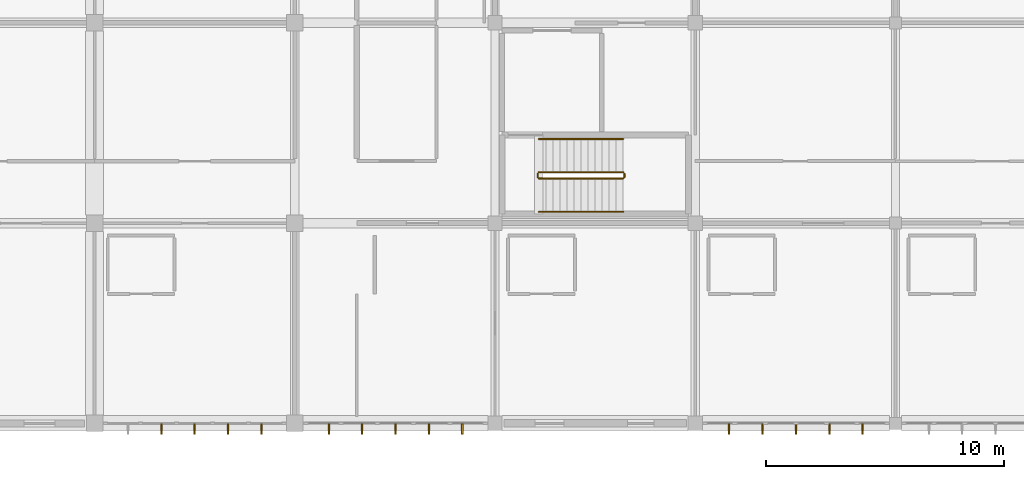
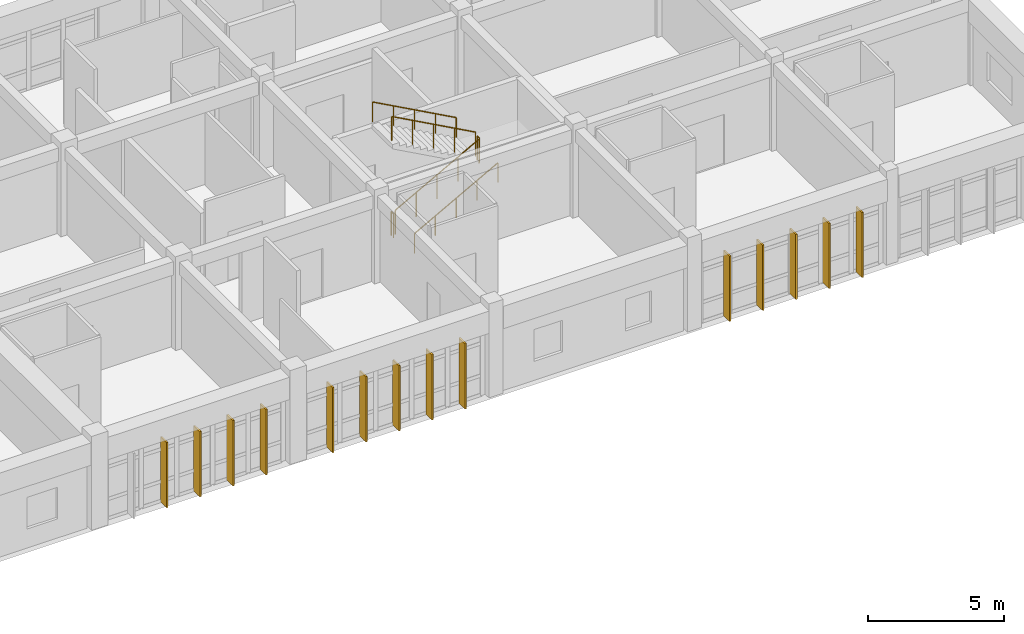
# One storey, part 115 of 119: 14 shading devices, 6 railings.
"""IFC4 building model written with IfcOpenShell, lengths in metres."""

from ifc_helpers import new_model, si_unit, direction, frame, origin, origin_2d, place, context, subcontext, project, spatial, rectangle, circle, extrude, material, material_profile, profile_set, type_object, element, save


model = new_model("IFC4")

# Units and contexts
model_context = context("Model", 3, precision=1e-05, world=origin(), true_north=direction((0.0, 1.0)))
body_context = subcontext(model_context, "Body", "Model", "MODEL_VIEW")
ifc_project = project(units=[si_unit("LENGTHUNIT", "METRE"), si_unit("AREAUNIT", "SQUARE_METRE"), si_unit("VOLUMEUNIT", "CUBIC_METRE"), si_unit("PLANEANGLEUNIT", "RADIAN"), si_unit("MASSUNIT", "GRAM", prefix="KILO")], contexts=[model_context])

# Site, building, storey
site_placement = place(None, origin())
site = spatial("IfcSite", under=ifc_project, at=site_placement, CompositionType="ELEMENT")
building_placement = place(site_placement, origin())
building = spatial("IfcBuilding", under=site, at=building_placement, Name="Bramfleet General Hospital", CompositionType="ELEMENT")
storey_placement = place(building_placement, frame((0.0, 0.0, 14.39990234375)))
storey = spatial("IfcBuildingStorey", under=building, at=storey_placement, Name="L03", CompositionType="ELEMENT", Elevation=14.39990234375)

# Railings
ifc_material_1 = material(Name="Powder-coated steel stair balustrade", Category="steel")
railing_type_1 = type_object("IfcRailingType", Name="RAIL-ST-GUARD", PredefinedType="GUARDRAIL", material=ifc_material_1)
railing_1_placement = place(storey_placement, frame((144.639892578125, 10.27001953125, 0.16162109375)))
element("IfcRailing", 1, at=railing_1_placement, inside=storey, type_object=railing_type_1, Name="L03 ST-C10 stair guard 1", PredefinedType="GUARDRAIL", context=body_context, shape_type="SweptSolid", body=[
    extrude(circle(Radius=0.02392578125, at=origin_2d()), frame((0.0, 0.0, 1.076171875), z_axis=(0.877108402541, 0.0, 0.480292463185), x_axis=(0.0, 1.0, 0.0)), (0.0, 0.0, 1.0), 4.0361328125),
    extrude(circle(Radius=0.02099609375, at=origin_2d()), origin(), (0.0, 0.0, 1.0), 1.052001953125),
    extrude(circle(Radius=0.02099609375, at=origin_2d()), frame((0.885009765625, 0.0, 0.484619140625)), (0.0, 0.0, 1.0), 1.052001953125),
    extrude(circle(Radius=0.02099609375, at=origin_2d()), frame((1.77001953125, 0.0, 0.96923828125)), (0.0, 0.0, 1.0), 1.052001953125),
    extrude(circle(Radius=0.02099609375, at=origin_2d()), frame((2.655029296875, 0.0, 1.453857421875)), (0.0, 0.0, 1.0), 1.052001953125),
    extrude(circle(Radius=0.02099609375, at=origin_2d()), frame((3.5400390625, 0.0, 1.9384765625)), (0.0, 0.0, 1.0), 1.052001953125),
])
railing_2_placement = place(storey_placement, frame((148.22998046875, 10.320068359375, 2.10009765625)))
element("IfcRailing", 2, at=railing_2_placement, inside=storey, type_object=railing_type_1, Name="L03 ST-C10 stair guard 2", PredefinedType="GUARDRAIL", context=body_context, shape_type="SweptSolid", body=[
    extrude(circle(Radius=0.02392578125, at=origin_2d()), frame((0.0, 0.0, 1.076171875), z_axis=(0.0, 1.0, 0.0), x_axis=(-1.0, 0.0, 0.0)), (0.0, 0.0, 1.0), 0.159912109375),
    extrude(circle(Radius=0.02099609375, at=origin_2d()), origin(), (0.0, 0.0, 1.0), 1.052001953125),
    extrude(circle(Radius=0.02099609375, at=origin_2d()), frame((0.0, 0.159912109375, 0.0)), (0.0, 0.0, 1.0), 1.052001953125),
])
railing_3_placement = place(storey_placement, frame((148.179931640625, 10.530029296875, 2.26171875)))
element("IfcRailing", 3, at=railing_3_placement, inside=storey, type_object=railing_type_1, Name="L03 ST-C10 stair guard 3", PredefinedType="GUARDRAIL", context=body_context, shape_type="SweptSolid", body=[
    extrude(circle(Radius=0.02392578125, at=origin_2d()), frame((0.0, 0.0, 1.076171875), z_axis=(-0.877108402541, 0.0, 0.480292463185), x_axis=(0.0, -1.0, 0.0)), (0.0, 0.0, 1.0), 4.0361328125),
    extrude(circle(Radius=0.02099609375, at=origin_2d()), origin(), (0.0, 0.0, 1.0), 1.052001953125),
    extrude(circle(Radius=0.02099609375, at=origin_2d()), frame((-0.885009765625, 0.0, 0.484619140625)), (0.0, 0.0, 1.0), 1.052001953125),
    extrude(circle(Radius=0.02099609375, at=origin_2d()), frame((-1.77001953125, 0.0, 0.96923828125)), (0.0, 0.0, 1.0), 1.052001953125),
    extrude(circle(Radius=0.02099609375, at=origin_2d()), frame((-2.655029296875, 0.0, 1.453857421875)), (0.0, 0.0, 1.0), 1.052001953125),
    extrude(circle(Radius=0.02099609375, at=origin_2d()), frame((-3.5400390625, 0.0, 1.9384765625)), (0.0, 0.0, 1.0), 1.052001953125),
])
railing_4_placement = place(storey_placement, frame((144.590087890625, 10.320068359375, 0.0)))
element("IfcRailing", 4, at=railing_4_placement, inside=storey, type_object=railing_type_1, Name="L03 ST-C10 stair guard 4", PredefinedType="GUARDRAIL", context=body_context, shape_type="SweptSolid", body=[
    extrude(circle(Radius=0.02392578125, at=origin_2d()), frame((0.0, 0.0, 1.076171875), z_axis=(0.0, 1.0, 0.0), x_axis=(-1.0, 0.0, 0.0)), (0.0, 0.0, 1.0), 0.159912109375),
    extrude(circle(Radius=0.02099609375, at=origin_2d()), origin(), (0.0, 0.0, 1.0), 1.052001953125),
    extrude(circle(Radius=0.02099609375, at=origin_2d()), frame((0.0, 0.159912109375, 0.0)), (0.0, 0.0, 1.0), 1.052001953125),
])
ifc_material_2 = material(Name="Stainless steel 1.4301 stair handrail", Category="steel")
railing_type_2 = type_object("IfcRailingType", Name="RAIL-ST-HND", PredefinedType="HANDRAIL", material=ifc_material_2)
railing_5_placement = place(storey_placement, frame((144.639892578125, 8.8701171875, 0.16162109375)))
element("IfcRailing", 5, at=railing_5_placement, inside=storey, type_object=railing_type_2, Name="L03 ST-C10 stair handrail 1", PredefinedType="HANDRAIL", context=body_context, shape_type="SweptSolid", body=[
    extrude(circle(Radius=0.02392578125, at=origin_2d()), frame((0.0, 0.0, 0.8759765625), z_axis=(0.877108402541, 0.0, 0.480292463185), x_axis=(0.0, 1.0, 0.0)), (0.0, 0.0, 1.0), 4.0361328125),
    extrude(circle(Radius=0.02099609375, at=origin_2d()), origin(), (0.0, 0.0, 1.0), 0.851806640625),
    extrude(circle(Radius=0.02099609375, at=origin_2d()), frame((0.885009765625, 0.0, 0.484619140625)), (0.0, 0.0, 1.0), 0.851806640625),
    extrude(circle(Radius=0.02099609375, at=origin_2d()), frame((1.77001953125, 0.0, 0.96923828125)), (0.0, 0.0, 1.0), 0.851806640625),
    extrude(circle(Radius=0.02099609375, at=origin_2d()), frame((2.655029296875, 0.0, 1.453857421875)), (0.0, 0.0, 1.0), 0.851806640625),
    extrude(circle(Radius=0.02099609375, at=origin_2d()), frame((3.5400390625, 0.0, 1.9384765625)), (0.0, 0.0, 1.0), 0.851806640625),
])
railing_6_placement = place(storey_placement, frame((148.179931640625, 11.929931640625, 2.26171875)))
element("IfcRailing", 6, at=railing_6_placement, inside=storey, type_object=railing_type_2, Name="L03 ST-C10 stair handrail 2", PredefinedType="HANDRAIL", context=body_context, shape_type="SweptSolid", body=[
    extrude(circle(Radius=0.02392578125, at=origin_2d()), frame((0.0, 0.0, 0.8759765625), z_axis=(-0.877108402541, 0.0, 0.480292463185), x_axis=(0.0, -1.0, 0.0)), (0.0, 0.0, 1.0), 4.0361328125),
    extrude(circle(Radius=0.02099609375, at=origin_2d()), origin(), (0.0, 0.0, 1.0), 0.851806640625),
    extrude(circle(Radius=0.02099609375, at=origin_2d()), frame((-0.885009765625, 0.0, 0.484619140625)), (0.0, 0.0, 1.0), 0.851806640625),
    extrude(circle(Radius=0.02099609375, at=origin_2d()), frame((-1.77001953125, 0.0, 0.96923828125)), (0.0, 0.0, 1.0), 0.851806640625),
    extrude(circle(Radius=0.02099609375, at=origin_2d()), frame((-2.655029296875, 0.0, 1.453857421875)), (0.0, 0.0, 1.0), 0.851806640625),
    extrude(circle(Radius=0.02099609375, at=origin_2d()), frame((-3.5400390625, 0.0, 1.9384765625)), (0.0, 0.0, 1.0), 0.851806640625),
])

# Shading devices
ifc_material_3 = material(Name="Treated European larch timber", Category="wood")
ifc_material_profile = material_profile(ifc_material_3, rectangle(XDim=0.06494140625, YDim=0.449951171875, at=origin_2d()), Name="LARCH FIN 450x65")
ifc_profile_set = profile_set([ifc_material_profile], Name="Treated European larch timber")
shading_device_type = type_object("IfcShadingDeviceType", Name="SHD-FIN-450", PredefinedType="USERDEFINED", material=ifc_profile_set)
for number, where, z_axis, x_axis, name in (
    (7, (158.22509765625, -0.239990234375, -0.02001953125), (0.0, 0.0, 1.0), (-1.0, 0.0, 0.0), "L03 Larch Timber Shading Fin 632"),
    (8, (156.824951171875, -0.239990234375, -0.02001953125), (0.0, 0.0, 1.0), (-1.0, 0.0, 0.0), "L03 Larch Timber Shading Fin 633"),
    (9, (155.425048828125, -0.239990234375, -0.02001953125), (0.0, 0.0, 1.0), (-1.0, 0.0, 0.0), "L03 Larch Timber Shading Fin 634"),
    (10, (154.02490234375, -0.239990234375, -0.02001953125), (0.0, 0.0, 1.0), (-1.0, 0.0, 0.0), "L03 Larch Timber Shading Fin 635"),
    (11, (152.625, -0.239990234375, -0.02001953125), (0.0, 0.0, 1.0), (-1.0, 0.0, 0.0), "L03 Larch Timber Shading Fin 636"),
    (12, (141.425048828125, -0.239990234375, -0.02001953125), (0.0, 0.0, 1.0), (-1.0, 0.0, 0.0), "L03 Larch Timber Shading Fin 637"),
    (13, (140.02490234375, -0.239990234375, -0.02001953125), (0.0, 0.0, 1.0), (-1.0, 0.0, 0.0), "L03 Larch Timber Shading Fin 638"),
    (14, (138.625, -0.239990234375, -0.02001953125), (0.0, 0.0, 1.0), (-1.0, 0.0, 0.0), "L03 Larch Timber Shading Fin 639"),
    (15, (137.22509765625, -0.239990234375, -0.02001953125), (0.0, 0.0, 1.0), (-1.0, 0.0, 0.0), "L03 Larch Timber Shading Fin 640"),
    (16, (135.824951171875, -0.239990234375, -0.02001953125), (0.0, 0.0, 1.0), (-1.0, 0.0, 0.0), "L03 Larch Timber Shading Fin 641"),
    (17, (133.0, -0.239990234375, -0.02001953125), (0.0, 0.0, 1.0), (-1.0, 0.0, 0.0), "L03 Larch Timber Shading Fin 642"),
    (18, (131.60009765625, -0.239990234375, -0.02001953125), (0.0, 0.0, 1.0), (-1.0, 0.0, 0.0), "L03 Larch Timber Shading Fin 643"),
    (19, (130.199951171875, -0.239990234375, -0.02001953125), (0.0, 0.0, 1.0), (-1.0, 0.0, 0.0), "L03 Larch Timber Shading Fin 644"),
    (20, (128.800048828125, -0.239990234375, -0.02001953125), (0.0, 0.0, 1.0), (-1.0, 0.0, 0.0), "L03 Larch Timber Shading Fin 645"),
):
    element("IfcShadingDevice", number, at=place(storey_placement, frame(where, z_axis=z_axis, x_axis=x_axis)), inside=storey, type_object=shading_device_type, Name=name, ObjectType="Fin", PredefinedType="USERDEFINED", context=body_context, shape_type="SweptSolid", body=[
        extrude(rectangle(XDim=0.06494140625, YDim=0.449951171875, at=origin_2d()), origin(), (0.0, 0.0, 1.0), 2.920166015625),
    ])

save(model, "model.ifc")
